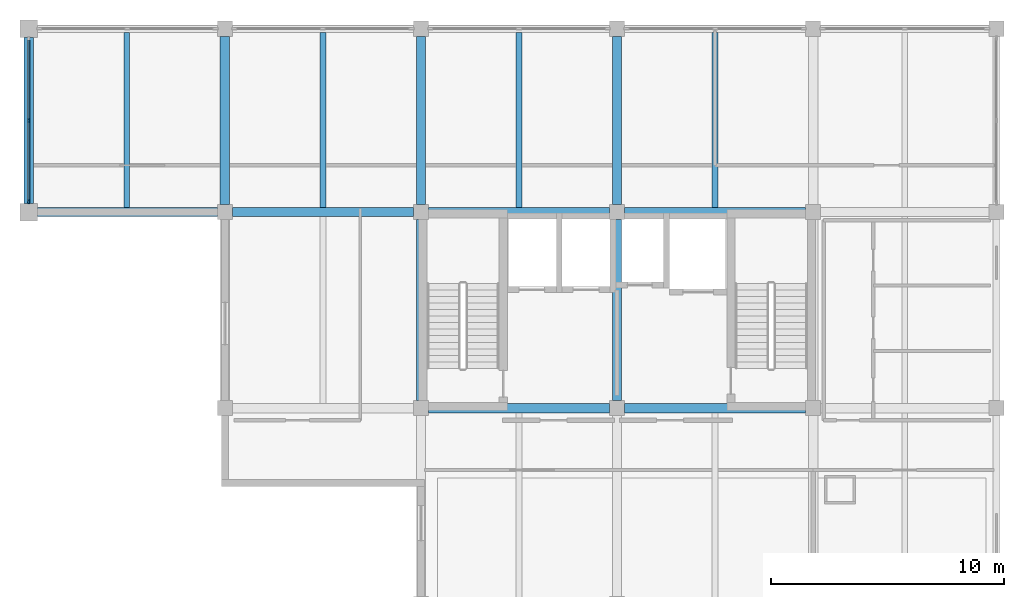
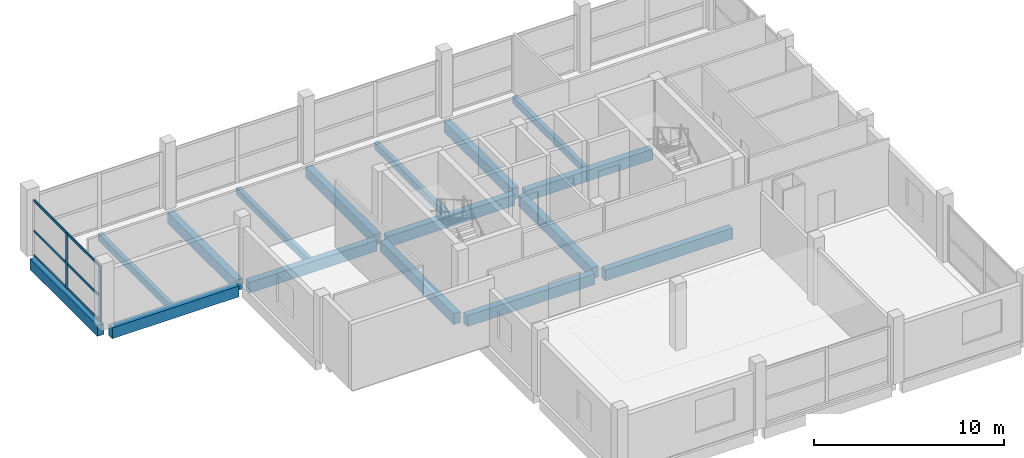
# One storey, part 3 of 9: 16 beams, 8 members, 1 element without a shape of its own.
"""IFC4 building model written with IfcOpenShell, lengths in metres."""

from ifc_helpers import new_model, si_unit, direction, frame, origin, origin_2d, place, context, subcontext, project, spatial, rectangle, extrude, material, material_profile, profile_set, type_object, element, aggregate, save


model = new_model("IFC4")

# Units and contexts
model_context = context("Model", 3, precision=1e-05, world=origin(), true_north=direction((0.0, 1.0)))
body_context = subcontext(model_context, "Body", "Model", "MODEL_VIEW")
ifc_project = project(units=[si_unit("LENGTHUNIT", "METRE"), si_unit("AREAUNIT", "SQUARE_METRE"), si_unit("VOLUMEUNIT", "CUBIC_METRE"), si_unit("PLANEANGLEUNIT", "RADIAN"), si_unit("MASSUNIT", "GRAM", prefix="KILO")], contexts=[model_context])

# Site, building, storey
site_placement = place(None, origin())
site = spatial("IfcSite", under=ifc_project, at=site_placement, CompositionType="ELEMENT")
building_placement = place(site_placement, origin())
building = spatial("IfcBuilding", under=site, at=building_placement, Name="Brinegate Botanical Conservatory", CompositionType="ELEMENT")
storey_placement = place(building_placement, frame((0.0, 0.0, 61.199951171875)))
storey = spatial("IfcBuildingStorey", under=building, at=storey_placement, Name="L15", CompositionType="ELEMENT", Elevation=61.199951171875)

# Beams
ifc_material_1 = material(Name="Concrete C40/50", Category="concrete")
ifc_material_profile_1 = material_profile(ifc_material_1, rectangle(XDim=0.39990234375, YDim=0.699951171875, at=origin_2d()), Name="RC BM 400x700")
ifc_profile_set_1 = profile_set([ifc_material_profile_1], Name="Concrete C40/50")
beam_type_1 = type_object("IfcBeamType", Name="Beam_BM-T2", PredefinedType="BEAM", material=ifc_profile_set_1)
for number, where, z_axis, x_axis, name in (
    (1, (139.125, 95.199951171875, -0.530029296875), (1.0, 0.0, 0.0), (0.0, 1.0, 0.0), "Beam BM-T2 L15 M:18-19"),
    (2, (147.52490234375, 95.199951171875, -0.530029296875), (1.0, 0.0, 0.0), (0.0, 1.0, 0.0), "Beam BM-T2 L15 M:19-20"),
):
    element("IfcBeam", number, at=place(storey_placement, frame(where, z_axis=z_axis, x_axis=x_axis)), inside=storey, type_object=beam_type_1, Name=name, PredefinedType="BEAM", context=body_context, shape_type="SweptSolid", body=[
        extrude(rectangle(XDim=0.39990234375, YDim=0.699951171875, at=origin_2d()), origin(), (0.0, 0.0, 1.0), 7.75),
    ])
beam_1_placement = place(storey_placement, frame((122.375, 103.60009765625, -0.530029296875), z_axis=(1.0, 0.0, 0.0), x_axis=(0.0, 1.0, 0.0)))
element("IfcBeam", 3, at=beam_1_placement, inside=storey, type_object=beam_type_1, Name="Beam BM-T2 L15 N:16-17", PredefinedType="BEAM", context=body_context, shape_type="SweptSolid", body=[
    extrude(rectangle(XDim=0.39990234375, YDim=0.699951171875, at=origin_2d()), origin(), (0.0, 0.0, 1.0), 7.699951171875),
])
for number, where, z_axis, x_axis, name in (
    (4, (130.72509765625, 103.60009765625, -0.530029296875), (1.0, 0.0, 0.0), (0.0, 1.0, 0.0), "Beam BM-T2 L15 N:17-18"),
    (5, (139.125, 103.60009765625, -0.530029296875), (1.0, 0.0, 0.0), (0.0, 1.0, 0.0), "Beam BM-T2 L15 N:18-19"),
    (6, (147.52490234375, 103.60009765625, -0.530029296875), (1.0, 0.0, 0.0), (0.0, 1.0, 0.0), "Beam BM-T2 L15 N:19-20"),
):
    element("IfcBeam", number, at=place(storey_placement, frame(where, z_axis=z_axis, x_axis=x_axis)), inside=storey, type_object=beam_type_1, Name=name, PredefinedType="BEAM", context=body_context, shape_type="SweptSolid", body=[
        extrude(rectangle(XDim=0.39990234375, YDim=0.699951171875, at=origin_2d()), origin(), (0.0, 0.0, 1.0), 7.75),
    ])
beam_2_placement = place(storey_placement, frame((122.0, 103.97509765625, -0.530029296875), z_axis=(0.0, 1.0, 0.0), x_axis=(-1.0, 0.0, 0.0)))
element("IfcBeam", 7, at=beam_2_placement, inside=storey, type_object=beam_type_1, Name="Beam BM-T2 L15 16:N-P", PredefinedType="BEAM", context=body_context, shape_type="SweptSolid", body=[
    extrude(rectangle(XDim=0.39990234375, YDim=0.699951171875, at=origin_2d()), origin(), (0.0, 0.0, 1.0), 7.099853515625),
])
beam_3_placement = place(storey_placement, frame((130.39990234375, 103.925048828125, -0.530029296875), z_axis=(0.0, 1.0, 0.0), x_axis=(-1.0, 0.0, 0.0)))
element("IfcBeam", 8, at=beam_3_placement, inside=storey, type_object=beam_type_1, Name="Beam BM-T2 L15 17:N-P", PredefinedType="BEAM", context=body_context, shape_type="SweptSolid", body=[
    extrude(rectangle(XDim=0.39990234375, YDim=0.699951171875, at=origin_2d()), origin(), (0.0, 0.0, 1.0), 7.199951171875),
])
beam_4_placement = place(storey_placement, frame((138.800048828125, 95.52490234375, -0.530029296875), z_axis=(0.0, 1.0, 0.0), x_axis=(-1.0, 0.0, 0.0)))
element("IfcBeam", 9, at=beam_4_placement, inside=storey, type_object=beam_type_1, Name="Beam BM-T2 L15 18:M-N", PredefinedType="BEAM", context=body_context, shape_type="SweptSolid", body=[
    extrude(rectangle(XDim=0.39990234375, YDim=0.699951171875, at=origin_2d()), origin(), (0.0, 0.0, 1.0), 7.75),
])
beam_5_placement = place(storey_placement, frame((138.800048828125, 103.925048828125, -0.530029296875), z_axis=(0.0, 1.0, 0.0), x_axis=(-1.0, 0.0, 0.0)))
element("IfcBeam", 10, at=beam_5_placement, inside=storey, type_object=beam_type_1, Name="Beam BM-T2 L15 18:N-P", PredefinedType="BEAM", context=body_context, shape_type="SweptSolid", body=[
    extrude(rectangle(XDim=0.39990234375, YDim=0.699951171875, at=origin_2d()), origin(), (0.0, 0.0, 1.0), 7.199951171875),
])
beam_6_placement = place(storey_placement, frame((147.199951171875, 95.52490234375, -0.530029296875), z_axis=(0.0, 1.0, 0.0), x_axis=(-1.0, 0.0, 0.0)))
element("IfcBeam", 11, at=beam_6_placement, inside=storey, type_object=beam_type_1, Name="Beam BM-T2 L15 19:M-N", PredefinedType="BEAM", context=body_context, shape_type="SweptSolid", body=[
    extrude(rectangle(XDim=0.39990234375, YDim=0.699951171875, at=origin_2d()), origin(), (0.0, 0.0, 1.0), 7.75),
])
beam_7_placement = place(storey_placement, frame((147.199951171875, 103.925048828125, -0.530029296875), z_axis=(0.0, 1.0, 0.0), x_axis=(-1.0, 0.0, 0.0)))
element("IfcBeam", 12, at=beam_7_placement, inside=storey, type_object=beam_type_1, Name="Beam BM-T2 L15 19:N-P", PredefinedType="BEAM", context=body_context, shape_type="SweptSolid", body=[
    extrude(rectangle(XDim=0.39990234375, YDim=0.699951171875, at=origin_2d()), origin(), (0.0, 0.0, 1.0), 7.199951171875),
])
ifc_material_profile_2 = material_profile(ifc_material_1, rectangle(XDim=0.25, YDim=0.449951171875, at=origin_2d()), Name="RC JST 250x450")
ifc_profile_set_2 = profile_set([ifc_material_profile_2], Name="Concrete C40/50")
beam_type_2 = type_object("IfcBeamType", Name="Beam_JS-C3", PredefinedType="JOIST", material=ifc_profile_set_2)
for number, where, z_axis, x_axis, name in (
    (13, (126.199951171875, 103.800048828125, -0.405029296875), (0.0, 1.0, 0.0), (-1.0, 0.0, 0.0), "Floor joist JS-C3 L15 bay 16.13"),
    (14, (134.60009765625, 103.800048828125, -0.405029296875), (0.0, 1.0, 0.0), (-1.0, 0.0, 0.0), "Floor joist JS-C3 L15 bay 17.13"),
    (15, (143.0, 103.800048828125, -0.405029296875), (0.0, 1.0, 0.0), (-1.0, 0.0, 0.0), "Floor joist JS-C3 L15 bay 18.13"),
    (16, (151.39990234375, 103.800048828125, -0.405029296875), (0.0, 1.0, 0.0), (-1.0, 0.0, 0.0), "Floor joist JS-C3 L15 bay 19.13"),
):
    element("IfcBeam", number, at=place(storey_placement, frame(where, z_axis=z_axis, x_axis=x_axis)), inside=storey, type_object=beam_type_2, Name=name, PredefinedType="JOIST", context=body_context, shape_type="SweptSolid", body=[
        extrude(rectangle(XDim=0.25, YDim=0.449951171875, at=origin_2d()), origin(), (0.0, 0.0, 1.0), 7.5),
    ])

# Curtain wall, members
ifc_material_2 = material(Name="Thermally broken anodised aluminium AW-6063-T6", Category="aluminium")
curtain_wall_type = type_object("IfcCurtainWallType", Name="CW_CW-TW1", PredefinedType="USERDEFINED", material=ifc_material_2)
curtain_wall_placement = place(storey_placement, origin())
curtain_wall = element("IfcCurtainWall", 17, at=curtain_wall_placement, inside=storey, type_object=curtain_wall_type, Name="Tower north-west curtain wall L15", ObjectType="FACTORY CURTAIN WALL", PredefinedType="USERDEFINED")
ifc_material_profile_3 = material_profile(ifc_material_2, rectangle(XDim=0.070068359375, YDim=0.199951171875, at=origin_2d()), Name="ALUM MULLION 70x200")
ifc_profile_set_3 = profile_set([ifc_material_profile_3], Name="Thermally broken anodised aluminium AW-6063-T6")
member_type_1 = type_object("IfcMemberType", Name="Member_ML-03", PredefinedType="MULLION", material=ifc_profile_set_3)
member_1_placement = place(storey_placement, frame((122.0, 104.050048828125, 0.0), z_axis=(0.0, 0.0, 1.0), x_axis=(-1.0, 0.0, 0.0)))
member_1 = element("IfcMember", 18, at=member_1_placement, type_object=member_type_1, Name="CW-TW1 mullion 1", PredefinedType="MULLION", context=body_context, shape_type="SweptSolid", body=[
    extrude(rectangle(XDim=0.070068359375, YDim=0.199951171875, at=origin_2d()), origin(), (0.0, 0.0, 1.0), 3.580078125),
])
member_2_placement = place(storey_placement, frame((122.0, 107.52490234375, 0.0), z_axis=(0.0, 0.0, 1.0), x_axis=(-1.0, 0.0, 0.0)))
member_2 = element("IfcMember", 19, at=member_2_placement, type_object=member_type_1, Name="CW-TW1 mullion 2", PredefinedType="MULLION", context=body_context, shape_type="SweptSolid", body=[
    extrude(rectangle(XDim=0.070068359375, YDim=0.199951171875, at=origin_2d()), origin(), (0.0, 0.0, 1.0), 3.580078125),
])
ifc_material_profile_4 = material_profile(ifc_material_2, rectangle(XDim=0.070068359375, YDim=0.14990234375, at=origin_2d()), Name="ALUM TRANSOM 70x150")
ifc_profile_set_4 = profile_set([ifc_material_profile_4], Name="Thermally broken anodised aluminium AW-6063-T6")
member_type_2 = type_object("IfcMemberType", Name="Member_TR-03", PredefinedType="USERDEFINED", material=ifc_profile_set_4)
member_3_placement = place(storey_placement, frame((122.0, 104.0849609375, 0.03515625), z_axis=(0.0, 1.0, 0.0), x_axis=(-1.0, 0.0, 0.0)))
member_3 = element("IfcMember", 20, at=member_3_placement, type_object=member_type_2, Name="CW-TW1 transom 1.1", ObjectType="TRANSOM", PredefinedType="USERDEFINED", context=body_context, shape_type="SweptSolid", body=[
    extrude(rectangle(XDim=0.070068359375, YDim=0.14990234375, at=origin_2d()), origin(), (0.0, 0.0, 1.0), 3.405029296875),
])
member_4_placement = place(storey_placement, frame((122.0, 104.0849609375, 1.611083984375), z_axis=(0.0, 1.0, 0.0), x_axis=(-1.0, 0.0, 0.0)))
member_4 = element("IfcMember", 21, at=member_4_placement, type_object=member_type_2, Name="CW-TW1 transom 1.2", ObjectType="TRANSOM", PredefinedType="USERDEFINED", context=body_context, shape_type="SweptSolid", body=[
    extrude(rectangle(XDim=0.070068359375, YDim=0.14990234375, at=origin_2d()), origin(), (0.0, 0.0, 1.0), 3.405029296875),
])
member_5_placement = place(storey_placement, frame((122.0, 104.0849609375, 3.545166015625), z_axis=(0.0, 1.0, 0.0), x_axis=(-1.0, 0.0, 0.0)))
member_5 = element("IfcMember", 22, at=member_5_placement, type_object=member_type_2, Name="CW-TW1 transom 1.3", ObjectType="TRANSOM", PredefinedType="USERDEFINED", context=body_context, shape_type="SweptSolid", body=[
    extrude(rectangle(XDim=0.070068359375, YDim=0.14990234375, at=origin_2d()), origin(), (0.0, 0.0, 1.0), 3.405029296875),
])
member_6_placement = place(storey_placement, frame((122.0, 107.56005859375, 0.03515625), z_axis=(0.0, 1.0, 0.0), x_axis=(-1.0, 0.0, 0.0)))
member_6 = element("IfcMember", 23, at=member_6_placement, type_object=member_type_2, Name="CW-TW1 transom 2.1", ObjectType="TRANSOM", PredefinedType="USERDEFINED", context=body_context, shape_type="SweptSolid", body=[
    extrude(rectangle(XDim=0.070068359375, YDim=0.14990234375, at=origin_2d()), origin(), (0.0, 0.0, 1.0), 3.405029296875),
])
member_7_placement = place(storey_placement, frame((122.0, 107.56005859375, 1.611083984375), z_axis=(0.0, 1.0, 0.0), x_axis=(-1.0, 0.0, 0.0)))
member_7 = element("IfcMember", 24, at=member_7_placement, type_object=member_type_2, Name="CW-TW1 transom 2.2", ObjectType="TRANSOM", PredefinedType="USERDEFINED", context=body_context, shape_type="SweptSolid", body=[
    extrude(rectangle(XDim=0.070068359375, YDim=0.14990234375, at=origin_2d()), origin(), (0.0, 0.0, 1.0), 3.405029296875),
])
member_8_placement = place(storey_placement, frame((122.0, 107.56005859375, 3.545166015625), z_axis=(0.0, 1.0, 0.0), x_axis=(-1.0, 0.0, 0.0)))
member_8 = element("IfcMember", 25, at=member_8_placement, type_object=member_type_2, Name="CW-TW1 transom 2.3", ObjectType="TRANSOM", PredefinedType="USERDEFINED", context=body_context, shape_type="SweptSolid", body=[
    extrude(rectangle(XDim=0.070068359375, YDim=0.14990234375, at=origin_2d()), origin(), (0.0, 0.0, 1.0), 3.405029296875),
])
aggregate(curtain_wall, [member_1, member_2, member_3, member_4, member_5, member_6, member_7, member_8])

save(model, "model.ifc")
